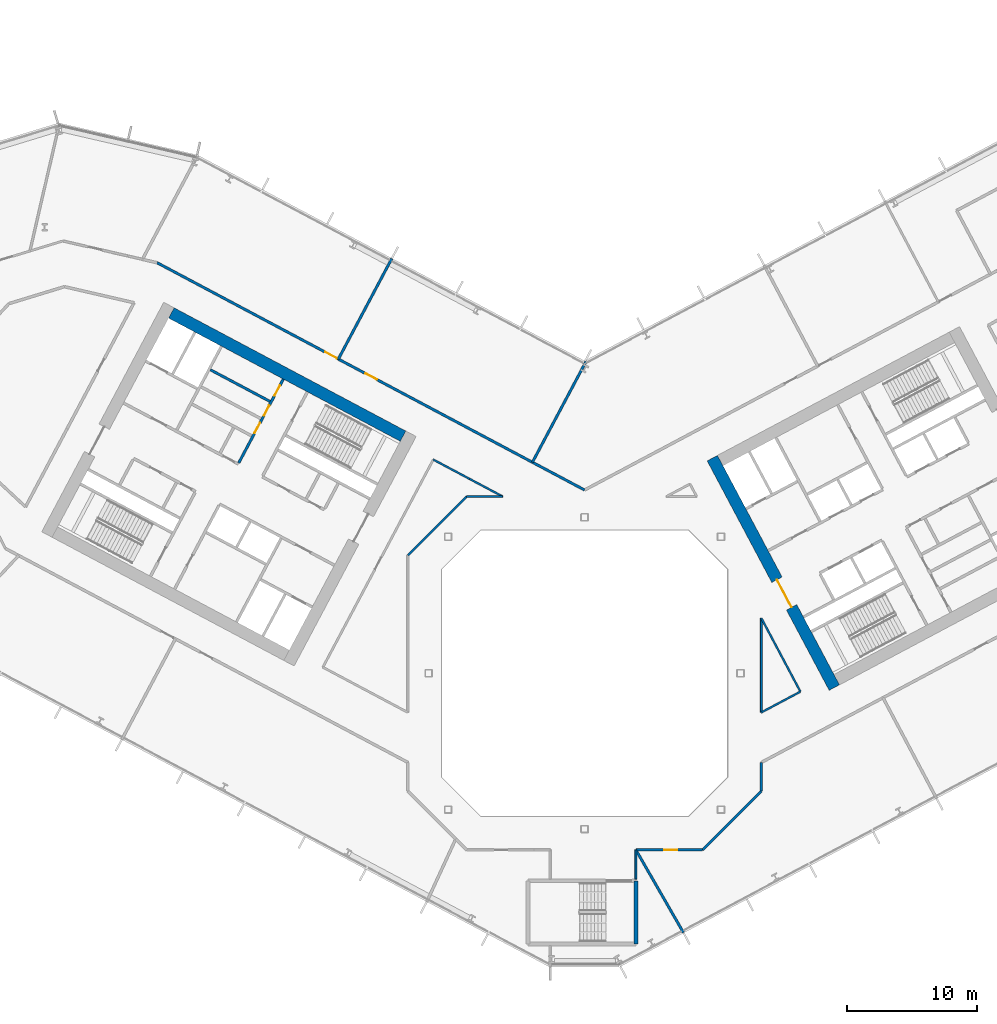
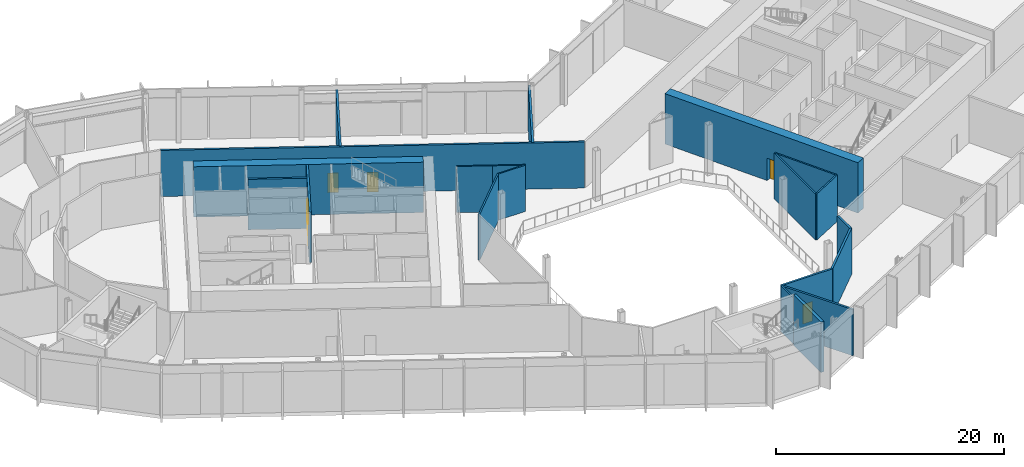
# One storey, part 14 of 30: 20 walls, 7 doors, 7 openings.
"""IFC4 building model written with IfcOpenShell, lengths in metres."""

from ifc_helpers import new_model, si_unit, direction, frame, frame_2d, origin, place, context, subcontext, project, spatial, rectangle, extrude, material, layer, layer_set, type_object, element, fill, save


model = new_model("IFC4")

# Units and contexts
model_context = context("Model", 3, precision=1e-05, world=origin(), true_north=direction((0.0, 1.0)))
body_context = subcontext(model_context, "Body", "Model", "MODEL_VIEW")
ifc_project = project(units=[si_unit("LENGTHUNIT", "METRE"), si_unit("AREAUNIT", "SQUARE_METRE"), si_unit("VOLUMEUNIT", "CUBIC_METRE"), si_unit("PLANEANGLEUNIT", "RADIAN"), si_unit("MASSUNIT", "GRAM", prefix="KILO")], contexts=[model_context])

# Site, building, storey
site_placement = place(None, origin())
site = spatial("IfcSite", under=ifc_project, at=site_placement, CompositionType="ELEMENT")
building_placement = place(site_placement, origin())
building = spatial("IfcBuilding", under=site, at=building_placement, Name="Cormorant Relay Tower", CompositionType="ELEMENT")
storey_placement = place(building_placement, frame((0.0, 0.0, 44.60009765625)))
storey = spatial("IfcBuildingStorey", under=building, at=storey_placement, Name="L08", CompositionType="ELEMENT", Elevation=44.60009765625)

# Wall
ifc_material_1 = material(Name="Concrete 40 MPa", Category="concrete")
ifc_layer_1 = layer(ifc_material_1, 0.199951171875)
ifc_layer_set_1 = layer_set([ifc_layer_1], Name="Core internal wall 200")
wall_type_1 = type_object("IfcWallType", Name="Core internal wall 200", PredefinedType="SOLIDWALL", material=ifc_layer_set_1)
wall_1_placement = place(storey_placement, frame((-24.214599609375, 20.91650390625, 0.0), z_axis=(0.0, 0.0, 1.0), x_axis=(-0.882964314875, 0.469440111896, 0.0)))
element("IfcWall", 1, at=wall_1_placement, inside=storey, type_object=wall_type_1, Name="L08 core A shaft and room wall", PredefinedType="SOLIDWALL", context=body_context, shape_type="SweptSolid", body=[
    extrude(rectangle(XDim=5.2001953125, YDim=0.199951171875, at=frame_2d((2.60009765625, 0.0))), origin(), (0.0, 0.0, 1.0), 5.39990234375),
])

# Wall, openings, doors
ifc_material_2 = material(Name="Concrete 50 MPa", Category="concrete")
ifc_layer_2 = layer(ifc_material_2, 0.199951171875)
ifc_layer_set_2 = layer_set([ifc_layer_2], Name="Core shaft wall 200")
wall_type_2 = type_object("IfcWallType", Name="Core shaft wall 200", PredefinedType="SHEAR", material=ifc_layer_set_2)
wall_2_placement = place(storey_placement, frame((-23.1875, 22.635498046875, 0.0), z_axis=(0.0, 0.0, 1.0), x_axis=(-0.469454336211, -0.882956752176, 0.0)))
wall_2 = element("IfcWall", 2, at=wall_2_placement, inside=storey, type_object=wall_type_2, Name="L08 core A shaft wall", PredefinedType="SHEAR", context=body_context, shape_type="SweptSolid", body=[
    extrude(rectangle(XDim=7.300048828125, YDim=0.199951171875, at=frame_2d((3.64990234375, 0.0))), origin(), (0.0, 0.0, 1.0), 5.39990234375),
])
opening_1_placement = place(wall_2_placement, frame((0.550048828125, 0.0, 0.0)))
opening_1 = element("IfcOpeningElement", 3, at=opening_1_placement, cuts=wall_2, Name="Opening CDD-071", PredefinedType="OPENING", context=body_context, shape_type="SweptSolid", body=[
    extrude(rectangle(XDim=0.89990234375, YDim=2.10009765625, at=frame_2d((0.449951171875, 1.050048828125))), frame((0.0, 0.10986328125, 0.0), z_axis=(0.0, -1.0, 0.0), x_axis=(1.0, 0.0, 0.0)), (0.0, 0.0, 1.0), 0.219970703125),
])
opening_2_placement = place(wall_2_placement, frame((2.300048828125, 0.0, 0.0)))
opening_2 = element("IfcOpeningElement", 4, at=opening_2_placement, cuts=wall_2, Name="Opening CDD-072", PredefinedType="OPENING", context=body_context, shape_type="SweptSolid", body=[
    extrude(rectangle(XDim=0.89990234375, YDim=2.10009765625, at=frame_2d((0.449951171875, 1.050048828125))), frame((0.0, 0.10986328125, 0.0), z_axis=(0.0, -1.0, 0.0), x_axis=(1.0, 0.0, 0.0)), (0.0, 0.0, 1.0), 0.219970703125),
])
opening_3_placement = place(wall_2_placement, frame((3.800048828125, 0.0, 0.0)))
opening_3 = element("IfcOpeningElement", 5, at=opening_3_placement, cuts=wall_2, Name="Opening CDD-073", PredefinedType="OPENING", context=body_context, shape_type="SweptSolid", body=[
    extrude(rectangle(XDim=0.89990234375, YDim=2.10009765625, at=frame_2d((0.449951171875, 1.050048828125))), frame((0.0, 0.10986328125, 0.0), z_axis=(0.0, -1.0, 0.0), x_axis=(1.0, 0.0, 0.0)), (0.0, 0.0, 1.0), 0.219970703125),
])
ifc_material_3 = material(Name="Steel fire door", Category="steel")
door_type_1 = type_object("IfcDoorType", Name="Core room door 900x2100", OperationType="SINGLE_SWING_LEFT", PredefinedType="DOOR", material=ifc_material_3)
door_1_placement = place(opening_1_placement, origin())
door_1 = element("IfcDoor", 6, at=door_1_placement, inside=storey, type_object=door_type_1, Name="Core room door 900x2100", OperationType="SINGLE_SWING_LEFT", OverallHeight=2.10009765625, OverallWidth=0.89990234375, PredefinedType="DOOR", context=body_context, shape_type="SweptSolid", body=[
    extrude(rectangle(XDim=0.89990234375, YDim=2.10009765625, at=frame_2d((0.449951171875, 1.050048828125))), frame((0.0, 0.02490234375, 0.0), z_axis=(0.0, -1.0, 0.0), x_axis=(1.0, 0.0, 0.0)), (0.0, 0.0, 1.0), 0.050048828125),
])
fill(opening_1, door_1)
door_2_placement = place(opening_2_placement, origin())
door_2 = element("IfcDoor", 7, at=door_2_placement, inside=storey, type_object=door_type_1, Name="Core room door 900x2100", OperationType="SINGLE_SWING_LEFT", OverallHeight=2.10009765625, OverallWidth=0.89990234375, PredefinedType="DOOR", context=body_context, shape_type="SweptSolid", body=[
    extrude(rectangle(XDim=0.89990234375, YDim=2.10009765625, at=frame_2d((0.449951171875, 1.050048828125))), frame((0.0, 0.02490234375, 0.0), z_axis=(0.0, -1.0, 0.0), x_axis=(1.0, 0.0, 0.0)), (0.0, 0.0, 1.0), 0.050048828125),
])
fill(opening_2, door_2)
door_3_placement = place(opening_3_placement, frame((0.89990234375, 0.0, 0.0), z_axis=(0.0, 0.0, 1.0), x_axis=(-1.0, 0.0, 0.0)))
door_3 = element("IfcDoor", 8, at=door_3_placement, inside=storey, type_object=door_type_1, Name="Core room door 900x2100", OperationType="SINGLE_SWING_RIGHT", OverallHeight=2.10009765625, OverallWidth=0.89990234375, PredefinedType="DOOR", context=body_context, shape_type="SweptSolid", body=[
    extrude(rectangle(XDim=0.89990234375, YDim=2.10009765625, at=frame_2d((0.449951171875, 1.050048828125))), frame((0.0, 0.02490234375, 0.0), z_axis=(0.0, -1.0, 0.0), x_axis=(1.0, 0.0, 0.0)), (0.0, 0.0, 1.0), 0.050048828125),
])
fill(opening_3, door_3)

# Wall
ifc_material_4 = material(Name="Concrete 70 MPa", Category="concrete")
ifc_layer_3 = layer(ifc_material_4, 0.89990234375)
ifc_layer_set_3 = layer_set([ifc_layer_3], Name="Core wall 900")
wall_type_3 = type_object("IfcWallType", Name="Core wall 900", PredefinedType="SHEAR", material=ifc_layer_set_3)
wall_3_placement = place(storey_placement, frame((-13.97021484375, 18.244140625, 0.0), z_axis=(0.0, 0.0, 1.0), x_axis=(-0.88294509198, 0.469476266226, 0.0)))
element("IfcWall", 9, at=wall_3_placement, inside=storey, type_object=wall_type_3, Name="L08 core A wall", PredefinedType="SHEAR", context=body_context, shape_type="SweptSolid", body=[
    extrude(rectangle(XDim=20.199951171875, YDim=0.89990234375, at=frame_2d((10.10009765625, 0.0))), origin(), (0.0, 0.0, 1.0), 5.39990234375),
])

# Wall, opening, door
wall_4_placement = place(storey_placement, frame((19.21923828125, -1.106689453125, 0.0), z_axis=(0.0, 0.0, 1.0), x_axis=(-0.46947084998, 0.882947971864, 0.0)))
wall_4 = element("IfcWall", 10, at=wall_4_placement, inside=storey, type_object=wall_type_3, Name="L08 core B wall", PredefinedType="SHEAR", context=body_context, shape_type="SweptSolid", body=[
    extrude(rectangle(XDim=20.0, YDim=0.89990234375, at=frame_2d((10.0, 0.0))), origin(), (0.0, 0.0, 1.0), 5.39990234375),
])
opening_4_placement = place(wall_4_placement, frame((7.0, 0.0, 0.0)))
opening_4 = element("IfcOpeningElement", 11, at=opening_4_placement, cuts=wall_4, Name="Opening CDA-015", PredefinedType="OPENING", context=body_context, shape_type="SweptSolid", body=[
    extrude(rectangle(XDim=2.39990234375, YDim=2.39990234375, at=frame_2d((1.199951171875, 1.199951171875))), frame((0.0, 0.4599609375, 0.0), z_axis=(0.0, -1.0, 0.0), x_axis=(1.0, 0.0, 0.0)), (0.0, 0.0, 1.0), 0.919921875),
])
ifc_material_5 = material(Name="Steel fire door", Category="steel")
door_type_2 = type_object("IfcDoorType", Name="Core lobby door 2400x2400", OperationType="DOUBLE_DOOR_SINGLE_SWING", PredefinedType="DOOR", material=ifc_material_5)
door_4_placement = place(opening_4_placement, frame((2.39990234375, 0.0, 0.0), z_axis=(0.0, 0.0, 1.0), x_axis=(-1.0, 0.0, 0.0)))
door_4 = element("IfcDoor", 12, at=door_4_placement, inside=storey, type_object=door_type_2, Name="Core lobby door 2400x2400", OperationType="DOUBLE_DOOR_SINGLE_SWING", OverallHeight=2.39990234375, OverallWidth=2.39990234375, PredefinedType="DOOR", context=body_context, shape_type="SweptSolid", body=[
    extrude(rectangle(XDim=2.39990234375, YDim=2.39990234375, at=frame_2d((1.199951171875, 1.199951171875))), frame((0.0, 0.02490234375, 0.0), z_axis=(0.0, -1.0, 0.0), x_axis=(1.0, 0.0, 0.0)), (0.0, 0.0, 1.0), 0.050048828125),
])
fill(opening_4, door_4)

# Wall, openings, doors
ifc_material_6 = material(Name="Fire-rated gypsum board partition")
ifc_layer_4 = layer(ifc_material_6, 0.199951171875)
ifc_layer_set_4 = layer_set([ifc_layer_4], Name="Fire-rated gypsum partition 200")
wall_type_4 = type_object("IfcWallType", Name="Fire-rated gypsum partition 200", PredefinedType="PARTITIONING", material=ifc_layer_set_4)
wall_5_placement = place(storey_placement, frame((-32.89404296875, 31.590087890625, 0.0), z_axis=(0.0, 0.0, 1.0), x_axis=(0.882948512555, -0.469469833085, 0.0)))
wall_5 = element("IfcWall", 13, at=wall_5_placement, inside=storey, type_object=wall_type_4, Name="wall/L08/part/32", PredefinedType="PARTITIONING", context=body_context, shape_type="SweptSolid", body=[
    extrude(rectangle(XDim=37.2548828125, YDim=0.199951171875, at=frame_2d((18.62744140625, 0.0))), origin(), (0.0, 0.0, 1.0), 4.949951171875),
])
opening_5_placement = place(wall_5_placement, frame((18.14990234375, 0.0, 0.0)))
opening_5 = element("IfcOpeningElement", 14, at=opening_5_placement, cuts=wall_5, Name="Opening FD1-049", PredefinedType="OPENING", context=body_context, shape_type="SweptSolid", body=[
    extrude(rectangle(XDim=1.0, YDim=2.10009765625, at=frame_2d((0.5, 1.050048828125))), frame((0.0, 0.10986328125, 0.0), z_axis=(0.0, -1.0, 0.0), x_axis=(1.0, 0.0, 0.0)), (0.0, 0.0, 1.0), 0.219970703125),
])
opening_6_placement = place(wall_5_placement, frame((14.64990234375, 0.0, 0.0)))
opening_6 = element("IfcOpeningElement", 15, at=opening_6_placement, cuts=wall_5, Name="Opening FD1-050", PredefinedType="OPENING", context=body_context, shape_type="SweptSolid", body=[
    extrude(rectangle(XDim=1.0, YDim=2.10009765625, at=frame_2d((0.5, 1.050048828125))), frame((0.0, 0.10986328125, 0.0), z_axis=(0.0, -1.0, 0.0), x_axis=(1.0, 0.0, 0.0)), (0.0, 0.0, 1.0), 0.219970703125),
])
ifc_material_7 = material(Name="Fire-rated steel door", Category="steel")
door_type_3 = type_object("IfcDoorType", Name="Fire door 1000 x 2100", OperationType="SINGLE_SWING_LEFT", PredefinedType="DOOR", material=ifc_material_7)
door_5_placement = place(opening_5_placement, origin())
door_5 = element("IfcDoor", 16, at=door_5_placement, inside=storey, type_object=door_type_3, Name="door/L08/11", OperationType="SINGLE_SWING_RIGHT", OverallHeight=2.10009765625, OverallWidth=1.0, PredefinedType="DOOR", context=body_context, shape_type="SweptSolid", body=[
    extrude(rectangle(XDim=1.0, YDim=2.10009765625, at=frame_2d((0.5, 1.050048828125))), frame((0.0, 0.02490234375, 0.0), z_axis=(0.0, -1.0, 0.0), x_axis=(1.0, 0.0, 0.0)), (0.0, 0.0, 1.0), 0.050048828125),
])
fill(opening_5, door_5)
door_6_placement = place(opening_6_placement, origin())
door_6 = element("IfcDoor", 17, at=door_6_placement, inside=storey, type_object=door_type_3, Name="door/L08/12", OperationType="SINGLE_SWING_RIGHT", OverallHeight=2.10009765625, OverallWidth=1.0, PredefinedType="DOOR", context=body_context, shape_type="SweptSolid", body=[
    extrude(rectangle(XDim=1.0, YDim=2.10009765625, at=frame_2d((0.5, 1.050048828125))), frame((0.0, 0.02490234375, 0.0), z_axis=(0.0, -1.0, 0.0), x_axis=(1.0, 0.0, 0.0)), (0.0, 0.0, 1.0), 0.050048828125),
])
fill(opening_6, door_6)

# Walls
wall_6_placement = place(storey_placement, frame((-14.843994140625, 31.903076171875, 0.0), z_axis=(0.0, 0.0, 1.0), x_axis=(-0.469374180568, -0.882999365014, 0.0)))
element("IfcWall", 18, at=wall_6_placement, inside=storey, type_object=wall_type_4, Name="wall/L08/part/34", PredefinedType="PARTITIONING", context=body_context, shape_type="SweptSolid", body=[
    extrude(rectangle(XDim=8.749755859375, YDim=0.199951171875, at=frame_2d((4.375, 0.0))), origin(), (0.0, 0.0, 1.0), 4.949951171875),
])
wall_7_placement = place(storey_placement, frame((0.10498046875, 23.98388671875, 0.0), z_axis=(0.0, 0.0, 1.0), x_axis=(-0.469364726907, -0.883004390213, 0.0)))
element("IfcWall", 19, at=wall_7_placement, inside=storey, type_object=wall_type_4, Name="wall/L08/part/38", PredefinedType="PARTITIONING", context=body_context, shape_type="SweptSolid", body=[
    extrude(rectangle(XDim=8.775390625, YDim=0.199951171875, at=frame_2d((4.3876953125, 0.0))), origin(), (0.0, 0.0, 1.0), 4.949951171875),
])
wall_8_placement = place(storey_placement, frame((13.60009765625, -6.885009765625, 0.0), z_axis=(0.0, 0.0, 1.0), x_axis=(0.0, -1.0, 0.0)))
element("IfcWall", 20, at=wall_8_placement, inside=storey, type_object=wall_type_4, Name="wall/L08/part/53", PredefinedType="PARTITIONING", context=body_context, shape_type="SweptSolid", body=[
    extrude(rectangle(XDim=2.19189453125, YDim=0.199951171875, at=frame_2d((1.095947265625, 0.0))), origin(), (0.0, 0.0, 1.0), 4.949951171875),
])
wall_9_placement = place(storey_placement, frame((13.60009765625, -9.076904296875, 0.0), z_axis=(0.0, 0.0, 1.0), x_axis=(-0.707106781187, -0.707106781187, 0.0)))
element("IfcWall", 21, at=wall_9_placement, inside=storey, type_object=wall_type_4, Name="wall/L08/part/54", PredefinedType="PARTITIONING", context=body_context, shape_type="SweptSolid", body=[
    extrude(rectangle(XDim=6.396728515625, YDim=0.199951171875, at=frame_2d((3.1982421875, 0.0))), origin(), (0.0, 0.0, 1.0), 4.949951171875),
])

# Wall, opening, door
wall_10_placement = place(storey_placement, frame((9.076904296875, -13.60009765625, 0.0), z_axis=(0.0, 0.0, 1.0), x_axis=(-1.0, 0.0, 0.0)))
wall_10 = element("IfcWall", 22, at=wall_10_placement, inside=storey, type_object=wall_type_4, Name="wall/L08/part/55", PredefinedType="PARTITIONING", context=body_context, shape_type="SweptSolid", body=[
    extrude(rectangle(XDim=5.126953125, YDim=0.199951171875, at=frame_2d((2.5634765625, 0.0))), origin(), (0.0, 0.0, 1.0), 4.949951171875),
])
opening_7_placement = place(wall_10_placement, frame((1.949951171875, 0.0, 0.0)))
opening_7 = element("IfcOpeningElement", 23, at=opening_7_placement, cuts=wall_10, Name="Opening FD1-022", PredefinedType="OPENING", context=body_context, shape_type="SweptSolid", body=[
    extrude(rectangle(XDim=1.0, YDim=2.10009765625, at=frame_2d((0.5, 1.050048828125))), frame((0.0, 0.10986328125, 0.0), z_axis=(0.0, -1.0, 0.0), x_axis=(1.0, 0.0, 0.0)), (0.0, 0.0, 1.0), 0.219970703125),
])
door_7_placement = place(opening_7_placement, origin())
door_7 = element("IfcDoor", 24, at=door_7_placement, inside=storey, type_object=door_type_3, Name="door/L08/3", OperationType="SINGLE_SWING_RIGHT", OverallHeight=2.10009765625, OverallWidth=1.0, PredefinedType="DOOR", context=body_context, shape_type="SweptSolid", body=[
    extrude(rectangle(XDim=1.0, YDim=2.10009765625, at=frame_2d((0.5, 1.050048828125))), frame((0.0, 0.02490234375, 0.0), z_axis=(0.0, -1.0, 0.0), x_axis=(1.0, 0.0, 0.0)), (0.0, 0.0, 1.0), 0.050048828125),
])
fill(opening_7, door_7)

# Walls
wall_11_placement = place(storey_placement, frame((7.60888671875, -19.965087890625, 0.0), z_axis=(0.0, 0.0, 1.0), x_axis=(-0.498375530061, 0.866961262708, 0.0)))
element("IfcWall", 25, at=wall_11_placement, inside=storey, type_object=wall_type_4, Name="wall/L08/part/56", PredefinedType="PARTITIONING", context=body_context, shape_type="SweptSolid", body=[
    extrude(rectangle(XDim=7.341796875, YDim=0.199951171875, at=frame_2d((3.6708984375, 0.0))), origin(), (0.0, 0.0, 1.0), 4.949951171875),
])
ifc_material_8 = material(Name="Gypsum board partition")
ifc_layer_5 = layer(ifc_material_8, 0.14990234375)
ifc_layer_set_5 = layer_set([ifc_layer_5], Name="Gypsum board partition 150")
wall_type_5 = type_object("IfcWallType", Name="Gypsum board partition 150", PredefinedType="PARTITIONING", material=ifc_layer_set_5)
wall_12_placement = place(storey_placement, frame((-11.64404296875, 16.44091796875, 0.0), z_axis=(0.0, 0.0, 1.0), x_axis=(0.882853947977, -0.469647640834, 0.0)))
element("IfcWall", 26, at=wall_12_placement, inside=storey, type_object=wall_type_5, Name="wall/L08/part/36", PredefinedType="PARTITIONING", context=body_context, shape_type="SweptSolid", body=[
    extrude(rectangle(XDim=3.1533203125, YDim=0.14990234375, at=frame_2d((1.57666015625, 0.0))), origin(), (0.0, 0.0, 1.0), 4.949951171875),
])
wall_13_placement = place(storey_placement, frame((-13.60009765625, 9.076904296875, 0.0), z_axis=(0.0, 0.0, 1.0), x_axis=(0.707106781187, 0.707106781187, 0.0)))
element("IfcWall", 27, at=wall_13_placement, inside=storey, type_object=wall_type_5, Name="wall/L08/part/42", PredefinedType="PARTITIONING", context=body_context, shape_type="SweptSolid", body=[
    extrude(rectangle(XDim=6.396728515625, YDim=0.14990234375, at=frame_2d((3.1982421875, 0.0))), origin(), (0.0, 0.0, 1.0), 4.949951171875),
])
wall_14_placement = place(storey_placement, frame((-6.301025390625, 13.60009765625, 0.0), z_axis=(0.0, 0.0, 1.0), x_axis=(-1.0, 0.0, 0.0)))
element("IfcWall", 28, at=wall_14_placement, inside=storey, type_object=wall_type_5, Name="wall/L08/part/46", PredefinedType="PARTITIONING", context=body_context, shape_type="SweptSolid", body=[
    extrude(rectangle(XDim=2.77587890625, YDim=0.14990234375, at=frame_2d((1.387939453125, 0.0))), origin(), (0.0, 0.0, 1.0), 4.949951171875),
])
wall_15_placement = place(storey_placement, frame((-6.301025390625, 13.60009765625, 0.0), z_axis=(0.0, 0.0, 1.0), x_axis=(-0.883065539011, 0.469249671083, 0.0)))
element("IfcWall", 29, at=wall_15_placement, inside=storey, type_object=wall_type_5, Name="wall/L08/part/47", PredefinedType="PARTITIONING", context=body_context, shape_type="SweptSolid", body=[
    extrude(rectangle(XDim=2.89794921875, YDim=0.14990234375, at=frame_2d((1.448974609375, 0.0))), origin(), (0.0, 0.0, 1.0), 4.949951171875),
])
wall_16_placement = place(storey_placement, frame((3.949951171875, -13.60009765625, 0.0), z_axis=(0.0, 0.0, 1.0), x_axis=(0.0, -1.0, 0.0)))
element("IfcWall", 30, at=wall_16_placement, inside=storey, type_object=wall_type_5, Name="wall/L08/part/52", PredefinedType="PARTITIONING", context=body_context, shape_type="SweptSolid", body=[
    extrude(rectangle(XDim=2.239990234375, YDim=0.14990234375, at=frame_2d((1.1201171875, 0.0))), origin(), (0.0, 0.0, 1.0), 4.949951171875),
])
wall_17_placement = place(storey_placement, frame((13.60009765625, 4.242919921875, 0.0), z_axis=(0.0, 0.0, 1.0), x_axis=(0.0, -1.0, 0.0)))
element("IfcWall", 31, at=wall_17_placement, inside=storey, type_object=wall_type_5, Name="wall/L08/part/88", PredefinedType="PARTITIONING", context=body_context, shape_type="SweptSolid", body=[
    extrude(rectangle(XDim=7.261962890625, YDim=0.14990234375, at=frame_2d((3.630859375, 0.0))), origin(), (0.0, 0.0, 1.0), 4.949951171875),
])
wall_18_placement = place(storey_placement, frame((13.60009765625, -3.01904296875, 0.0), z_axis=(0.0, 0.0, 1.0), x_axis=(0.8828717575, 0.469614160571, 0.0)))
element("IfcWall", 32, at=wall_18_placement, inside=storey, type_object=wall_type_5, Name="wall/L08/part/89", PredefinedType="PARTITIONING", context=body_context, shape_type="SweptSolid", body=[
    extrude(rectangle(XDim=3.409423828125, YDim=0.14990234375, at=frame_2d((1.70458984375, 0.0))), origin(), (0.0, 0.0, 1.0), 4.949951171875),
])
wall_19_placement = place(storey_placement, frame((16.610107421875, -1.41796875, 0.0), z_axis=(0.0, 0.0, 1.0), x_axis=(-0.469479085554, 0.882943592891, 0.0)))
element("IfcWall", 33, at=wall_19_placement, inside=storey, type_object=wall_type_5, Name="wall/L08/part/90", PredefinedType="PARTITIONING", context=body_context, shape_type="SweptSolid", body=[
    extrude(rectangle(XDim=6.411376953125, YDim=0.14990234375, at=frame_2d((3.20556640625, 0.0))), origin(), (0.0, 0.0, 1.0), 4.949951171875),
])
ifc_material_9 = material(Name="Concrete 50 MPa", Category="concrete")
ifc_layer_6 = layer(ifc_material_9, 0.300048828125)
ifc_layer_set_6 = layer_set([ifc_layer_6], Name="Remote stair wall 300")
wall_type_6 = type_object("IfcWallType", Name="Remote stair wall 300", PredefinedType="SHEAR", material=ifc_layer_set_6)
wall_20_placement = place(storey_placement, frame((3.949951171875, -15.97509765625, 0.0), z_axis=(0.0, 0.0, 1.0), x_axis=(0.0, -1.0, 0.0)))
element("IfcWall", 34, at=wall_20_placement, inside=storey, type_object=wall_type_6, Name="L08 exit stair RK1 wall", PredefinedType="SHEAR", context=body_context, shape_type="SweptSolid", body=[
    extrude(rectangle(XDim=4.849853515625, YDim=0.300048828125, at=frame_2d((2.4248046875, 0.0))), origin(), (0.0, 0.0, 1.0), 5.39990234375),
])

save(model, "model.ifc")
